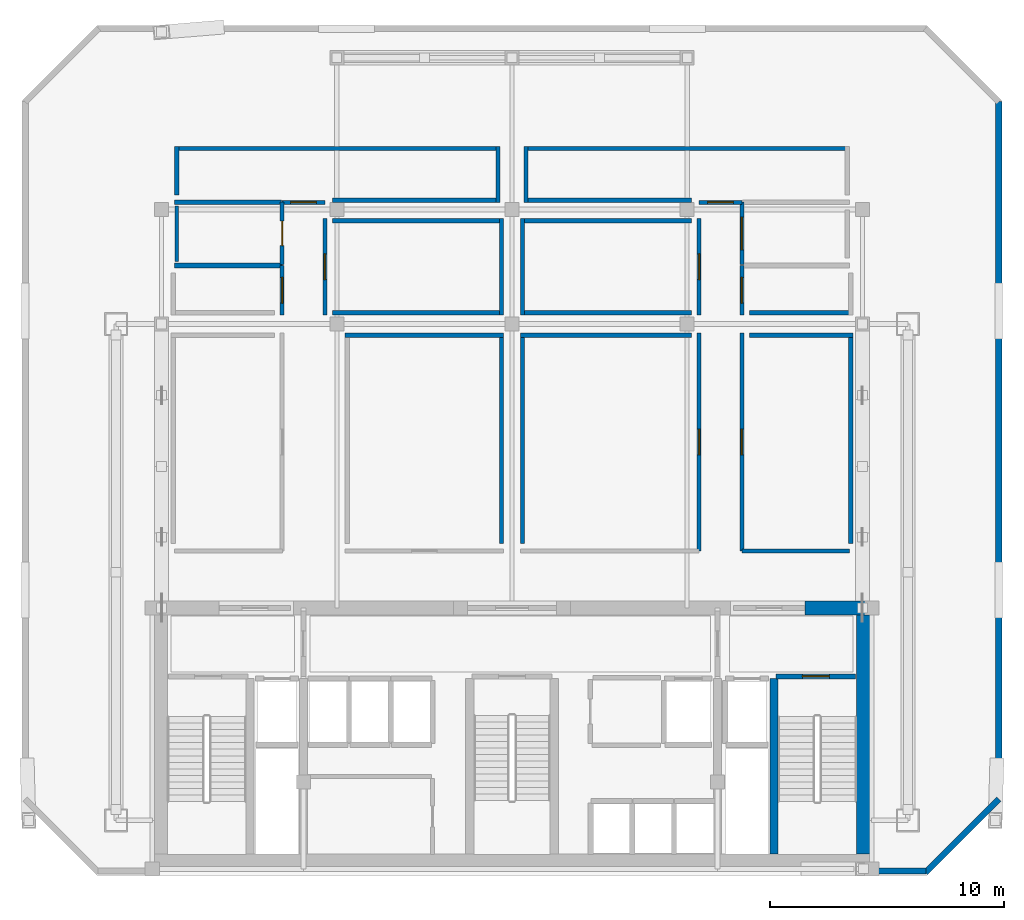
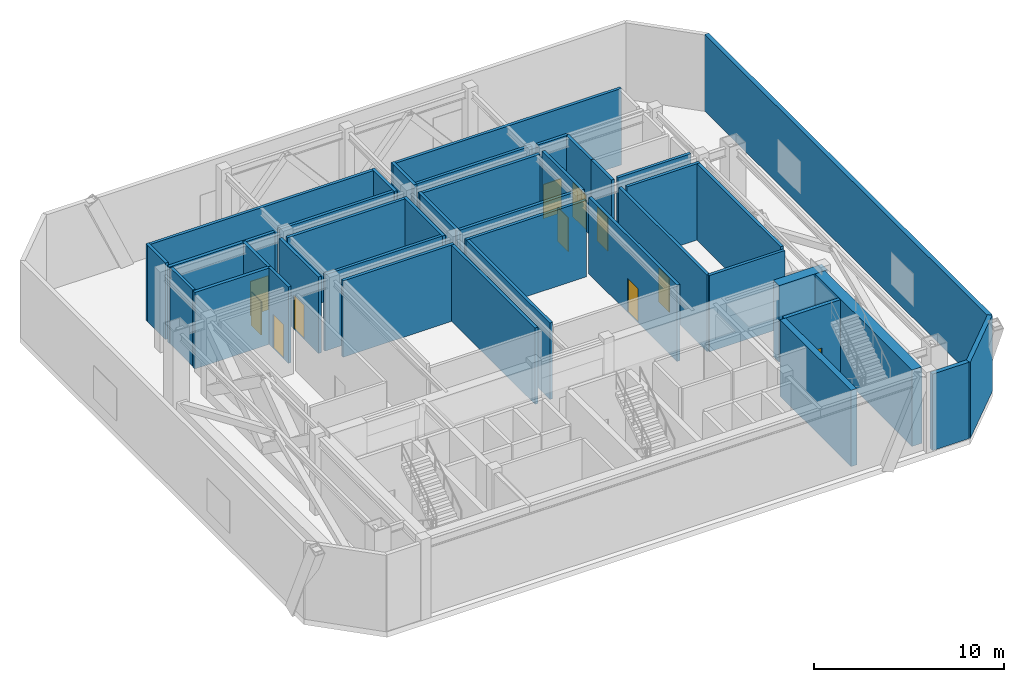
# One storey, part 4 of 7: 41 walls, 11 doors, 11 openings.
"""IFC4 building model written with IfcOpenShell, lengths in metres."""

import ifcopenshell
import ifcopenshell.guid

model = None  # the IFC model being written
_history = None  # IfcOwnerHistory: only IFC2X3 demands one
_inside = {}  # id of a spatial element -> (the spatial element, [elements in it])
_under = {}  # id of a project, library or spatial element -> (it, [spatial elements below it])
_declared = {}  # id of a project -> (the project, [libraries it declares])
_typed = {}  # id of a type object -> (the type object, [elements of that type])
_made_of = {}  # id of a material, layer set ... -> (it, [elements and type objects made of it])


def new_model(schema):
    """Start an empty IFC model of exactly this schema.

    Asked for "IFC4X3", IfcOpenShell would pick the latest addendum, in which some entities
    have other attributes; the version numbers below select the first issue.
    IFC2X3 requires an IfcOwnerHistory on every rooted entity: one is made here for all.
    """
    global model, _history
    if schema == "IFC4X3":
        model = ifcopenshell.file(schema_version=(4, 3, 0, 0))
    else:
        model = ifcopenshell.file(schema=schema)
    _inside.clear()
    _under.clear()
    _declared.clear()
    _typed.clear()
    _made_of.clear()
    _history = None
    if model.schema == "IFC2X3":
        org = make("IfcOrganization", Name="unknown")
        user = make(
            "IfcPersonAndOrganization",
            ThePerson=make("IfcPerson", FamilyName="unknown"),
            TheOrganization=org,
        )
        app = make(
            "IfcApplication",
            ApplicationDeveloper=org,
            Version="unknown",
            ApplicationFullName="unknown",
            ApplicationIdentifier="unknown",
        )
        _history = make(
            "IfcOwnerHistory",
            OwningUser=user,
            OwningApplication=app,
            ChangeAction="ADDED",
            CreationDate=0,
        )
    return model


def make(cls, **values):
    """One entity of the class cls with the attributes given. An attribute that is None is left unset."""
    return model.create_entity(
        cls, **{name: value for name, value in values.items() if value is not None}
    )


def rooted(cls, **values):
    """An entity with a GlobalId (a new one), such as an element, a storey or a relation."""
    return make(cls, GlobalId=ifcopenshell.guid.new(), OwnerHistory=_history, **values)


def si_unit(unit_type, name, prefix=None):
    """IfcSIUnit, for example si_unit("LENGTHUNIT", "METRE", prefix="MILLI")."""
    return make("IfcSIUnit", UnitType=unit_type, Prefix=prefix, Name=name)


def assignment(units):
    """IfcUnitAssignment: the units of a project."""
    return None if units is None else make("IfcUnitAssignment", Units=units)


def point(xyz):
    """IfcCartesianPoint."""
    return None if xyz is None else make("IfcCartesianPoint", Coordinates=xyz)


def direction(xyz):
    """IfcDirection."""
    return None if xyz is None else make("IfcDirection", DirectionRatios=xyz)


def frame(location, z_axis=None, x_axis=None):
    """IfcAxis2Placement3D, a coordinate frame: its origin and axes. An axis left out is left unset."""
    return make(
        "IfcAxis2Placement3D",
        Location=point(location),
        Axis=direction(z_axis),
        RefDirection=direction(x_axis),
    )


def frame_2d(location, x_axis=None):
    """IfcAxis2Placement2D, a coordinate frame in the plane: its origin and x axis."""
    return make(
        "IfcAxis2Placement2D", Location=point(location), RefDirection=direction(x_axis)
    )


def origin():
    """The frame at (0, 0, 0) with its axes left unset."""
    return frame((0.0, 0.0, 0.0))


def place(relative_to, where):
    """IfcLocalPlacement: puts the frame where relative to a parent placement (None: the world)."""
    return make(
        "IfcLocalPlacement", PlacementRelTo=relative_to, RelativePlacement=where
    )


def context(
    kind, dimensions, precision=None, world=None, true_north=None, identifier=None
):
    """IfcGeometricRepresentationContext, for example the 3D "Model" context."""
    return make(
        "IfcGeometricRepresentationContext",
        ContextIdentifier=identifier,
        ContextType=kind,
        CoordinateSpaceDimension=dimensions,
        Precision=precision,
        WorldCoordinateSystem=world,
        TrueNorth=true_north,
    )


def subcontext(parent, identifier, kind, view, scale=None):
    """IfcGeometricRepresentationSubContext, for example "Body" below "Model"."""
    return make(
        "IfcGeometricRepresentationSubContext",
        ContextIdentifier=identifier,
        ContextType=kind,
        ParentContext=parent,
        TargetScale=scale,
        TargetView=view,
    )


def project(units=None, contexts=None):
    """IfcProject with its units and contexts."""
    return rooted(
        "IfcProject",
        Name="project",
        RepresentationContexts=contexts,
        UnitsInContext=assignment(units),
    )


def spatial(cls, under=None, at=None, **own):
    """A site, building, storey or space (cls), placed at a placement, below another one or the project."""
    s = rooted(cls, ObjectPlacement=at, **own)
    if under is not None:
        _under.setdefault(under.id(), (under, []))[1].append(s)
    return s


def profile(cls, at=None, kind="AREA", **sizes):
    """A parametric profile (cls). Its sizes go by their IFC names, for example OverallWidth=200.0."""
    return make(cls, ProfileType=kind, Position=at, **sizes)


def rectangle(**sizes):
    """IfcRectangleProfileDef."""
    return profile("IfcRectangleProfileDef", **sizes)


def extrude(swept, where, along, depth):
    """IfcExtrudedAreaSolid: the profile swept, set in the frame where, extruded along a direction by depth."""
    return make(
        "IfcExtrudedAreaSolid",
        SweptArea=swept,
        Position=where,
        ExtrudedDirection=direction(along),
        Depth=depth,
    )


def shape(context_of_items, identifier, shape_type, items):
    """IfcShapeRepresentation: the items that make up one representation, for example the "Body"."""
    return make(
        "IfcShapeRepresentation",
        ContextOfItems=context_of_items,
        RepresentationIdentifier=identifier,
        RepresentationType=shape_type,
        Items=items,
    )


def material(Name=None, Category=None):
    """IfcMaterial."""
    return make("IfcMaterial", Name=Name, Category=Category)


def layer(
    of_material, thickness, ventilated=None, Name=None, Category=None, Priority=None
):
    """IfcMaterialLayer: one layer of a wall or slab, of a material (None: an air gap)."""
    return make(
        "IfcMaterialLayer",
        Material=of_material,
        LayerThickness=thickness,
        IsVentilated=ventilated,
        Name=Name,
        Category=Category,
        Priority=Priority,
    )


def layer_set(layers, Name=None):
    """IfcMaterialLayerSet."""
    return make("IfcMaterialLayerSet", MaterialLayers=layers, LayerSetName=Name)


def made_of(thing, what):
    """Note that an element or type object is made of a material, layer set ...; save() writes the relation."""
    if what is not None:
        _made_of.setdefault(what.id(), (what, []))[1].append(thing)
    return thing


def type_object(cls, material=None, **own):
    """A type object (cls), such as IfcWallType, which elements share."""
    return made_of(rooted(cls, **own), material)


def element(
    cls,
    number,
    at=None,
    inside=None,
    cuts=None,
    type_object=None,
    material=None,
    context=None,
    identifier="Body",
    shape_type=None,
    held_by="IfcProductDefinitionShape",
    body=None,
    shapes=None,
    **own,
):
    """One element of the class cls, such as IfcWall. Its Tag is "e" and its number.

    at: its placement. inside: the storey or other place that contains it. cuts: it is an
    opening in that element (IfcRelVoidsElement). A single representation is given by context,
    identifier, shape_type and body (its items); several are given by shapes. held_by: the class
    of the entity that holds the representations. save() writes the other relations.
    """
    e = rooted(cls, Tag="e%d" % number, ObjectPlacement=at, **own)
    if body is not None:
        shapes = [shape(context, identifier, shape_type, body)]
    if shapes is not None:
        e.Representation = make(held_by, Representations=shapes)
    if inside is not None:
        _inside.setdefault(inside.id(), (inside, []))[1].append(e)
    if cuts is not None:
        rooted(
            "IfcRelVoidsElement", RelatingBuildingElement=cuts, RelatedOpeningElement=e
        )
    if type_object is not None:
        _typed.setdefault(type_object.id(), (type_object, []))[1].append(e)
    return made_of(e, material)


def fill(opening, filler):
    """IfcRelFillsElement: the door or window that sits in an opening."""
    return rooted(
        "IfcRelFillsElement",
        RelatingOpeningElement=opening,
        RelatedBuildingElement=filler,
    )


def aggregate(whole, parts):
    """IfcRelAggregates: a whole, such as a stair, and the parts it consists of."""
    return rooted("IfcRelAggregates", RelatingObject=whole, RelatedObjects=parts)


def save(model, path):
    """Write the relations noted so far, then the file.

    IfcRelAggregates (storeys below a building ...), IfcRelContainedInSpatialStructure (elements
    in a storey), IfcRelDefinesByType, IfcRelAssociatesMaterial and IfcRelDeclares: one each for
    every whole, place, type object, material and project.
    """
    for whole, parts in _under.values():
        aggregate(whole, parts)
    for where, things in _inside.values():
        rooted(
            "IfcRelContainedInSpatialStructure",
            RelatedElements=things,
            RelatingStructure=where,
        )
    for kind, things in _typed.values():
        rooted("IfcRelDefinesByType", RelatedObjects=things, RelatingType=kind)
    for what, things in _made_of.values():
        rooted("IfcRelAssociatesMaterial", RelatedObjects=things, RelatingMaterial=what)
    for by, libraries in _declared.values():
        rooted("IfcRelDeclares", RelatingContext=by, RelatedDefinitions=libraries)
    model.write(path)


model = new_model("IFC4")

# Units and contexts
model_context = context("Model", 3, precision=1e-05, world=origin(), true_north=direction((0.0, 1.0)))
body_context = subcontext(model_context, "Body", "Model", "MODEL_VIEW")
ifc_project = project(units=[si_unit("LENGTHUNIT", "METRE"), si_unit("AREAUNIT", "SQUARE_METRE"), si_unit("VOLUMEUNIT", "CUBIC_METRE"), si_unit("PLANEANGLEUNIT", "RADIAN"), si_unit("MASSUNIT", "GRAM", prefix="KILO")], contexts=[model_context])

# Site, building, storey
site_placement = place(None, origin())
site = spatial("IfcSite", under=ifc_project, at=site_placement, CompositionType="ELEMENT")
building_placement = place(site_placement, origin())
building = spatial("IfcBuilding", under=site, at=building_placement, Name="Ventersveld Concourse Tower", CompositionType="ELEMENT")
storey_placement = place(building_placement, frame((0.0, 0.0, 246.5)))
storey = spatial("IfcBuildingStorey", under=building, at=storey_placement, Name="L61", CompositionType="ELEMENT", Elevation=246.5)

# Walls
ifc_material_1 = material(Name="Concrete C50/60", Category="concrete")
ifc_layer_1 = layer(ifc_material_1, 0.35009765625)
ifc_layer_set_1 = layer_set([ifc_layer_1], Name="Concrete C50/60")
wall_type_1 = type_object("IfcWallType", Name="WL-CORE-350U", PredefinedType="SHEAR", material=ifc_layer_set_1)
wall_1_placement = place(storey_placement, frame((39.9599609375, 0.919921875, 0.0), z_axis=(0.0, 0.0, 1.0), x_axis=(0.0, 1.0, 0.0)))
element("IfcWall", 1, at=wall_1_placement, inside=storey, type_object=wall_type_1, Name="L61 Core Internal Shear Web W-ST2-W", PredefinedType="SHEAR", context=body_context, shape_type="SweptSolid", body=[
    extrude(rectangle(XDim=7.5, YDim=0.35009765625, at=frame_2d((3.75, 0.0))), origin(), (0.0, 0.0, 1.0), 4.919921875),
])
ifc_layer_2 = layer(ifc_material_1, 0.60009765625)
ifc_layer_set_2 = layer_set([ifc_layer_2], Name="Concrete C50/60")
wall_type_2 = type_object("IfcWallType", Name="WL-CORE-600", PredefinedType="SHEAR", material=ifc_layer_set_2)
wall_2_placement = place(storey_placement, frame((43.800048828125, 0.919921875, 0.0), z_axis=(0.0, 0.0, 1.0), x_axis=(0.0, 1.0, 0.0)))
element("IfcWall", 2, at=wall_2_placement, inside=storey, type_object=wall_type_2, Name="L61 Rear Core East Shear Wall", PredefinedType="SHEAR", context=body_context, shape_type="SweptSolid", body=[
    extrude(rectangle(XDim=10.530029296875, YDim=0.60009765625, at=frame_2d((5.26513671875, 0.0))), origin(), (0.0, 0.0, 1.0), 4.919921875),
])
wall_3_placement = place(storey_placement, frame((41.300048828125, 11.449951171875, 0.0), z_axis=(0.0, 0.0, 1.0), x_axis=(1.0, 0.0, 0.0)))
element("IfcWall", 3, at=wall_3_placement, inside=storey, type_object=wall_type_2, Name="L61 Rear Core North Shear Wall NE", PredefinedType="SHEAR", context=body_context, shape_type="SweptSolid", body=[
    extrude(rectangle(XDim=2.949951171875, YDim=0.60009765625, at=frame_2d((1.47509765625, 0.0))), origin(), (0.0, 0.0, 1.0), 4.919921875),
])

# Wall, opening, door
ifc_material_2 = material(Name="Fire-rated autoclaved aerated masonry blockwork", Category="masonry")
ifc_layer_3 = layer(ifc_material_2, 0.179931640625)
ifc_layer_set_3 = layer_set([ifc_layer_3], Name="Fire-rated autoclaved aerated masonry blockwork")
wall_type_3 = type_object("IfcWallType", Name="WL-CORR-180", PredefinedType="PARTITIONING", material=ifc_layer_set_3)
wall_4_placement = place(storey_placement, frame((36.760009765625, 13.885009765625, 0.0), z_axis=(0.0, 0.0, 1.0), x_axis=(0.0, 1.0, 0.0)))
wall_4 = element("IfcWall", 4, at=wall_4_placement, inside=storey, type_object=wall_type_3, Name="L61 Interior Partition SP-L61-PCOR-SP-L61-REF-3", PredefinedType="PARTITIONING", context=body_context, shape_type="SweptSolid", body=[
    extrude(rectangle(XDim=9.330078125, YDim=0.179931640625, at=frame_2d((4.6650390625, 0.0))), origin(), (0.0, 0.0, 1.0), 4.919921875),
])
opening_1_placement = place(wall_4_placement, frame((4.114990234375, 0.0, 0.0)))
opening_1 = element("IfcOpeningElement", 5, at=opening_1_placement, cuts=wall_4, Name="Opening FD2", PredefinedType="OPENING", context=body_context, shape_type="SweptSolid", body=[
    extrude(rectangle(XDim=1.10009765625, YDim=2.199951171875, at=frame_2d((0.550048828125, 1.10009765625))), frame((0.0, 0.10009765625, 0.0), z_axis=(0.0, -1.0, 0.0), x_axis=(1.0, 0.0, 0.0)), (0.0, 0.0, 1.0), 0.199951171875),
])
ifc_material_3 = material(Name="Galvanised painted steel", Category="steel")
door_type_1 = type_object("IfcDoorType", Name="DR-FFL-110", OperationType="NOTDEFINED", PredefinedType="DOOR", material=ifc_material_3)
door_1_placement = place(opening_1_placement, origin())
door_1 = element("IfcDoor", 6, at=door_1_placement, inside=storey, type_object=door_type_1, Name="L61 Interior Door SP-L61-PCOR to SP-L61-REF-3 (FD-L61-2923)", OperationType="SINGLE_SWING_LEFT", OverallHeight=2.199951171875, OverallWidth=1.10009765625, PredefinedType="DOOR", context=body_context, shape_type="SweptSolid", body=[
    extrude(rectangle(XDim=1.10009765625, YDim=2.199951171875, at=frame_2d((0.550048828125, 1.10009765625))), frame((0.0, 0.02490234375, 0.0), z_axis=(0.0, -1.0, 0.0), x_axis=(1.0, 0.0, 0.0)), (0.0, 0.0, 1.0), 0.050048828125),
])
fill(opening_1, door_1)

wall_5_placement = place(storey_placement, frame((38.590087890625, 13.885009765625, 0.0), z_axis=(0.0, 0.0, 1.0), x_axis=(0.0, 1.0, 0.0)))
wall_5 = element("IfcWall", 7, at=wall_5_placement, inside=storey, type_object=wall_type_3, Name="L61 Interior Partition SP-L61-PCOR-SP-L61-REF-4", PredefinedType="PARTITIONING", context=body_context, shape_type="SweptSolid", body=[
    extrude(rectangle(XDim=9.330078125, YDim=0.179931640625, at=frame_2d((4.6650390625, 0.0))), origin(), (0.0, 0.0, 1.0), 4.919921875),
])
opening_2_placement = place(wall_5_placement, frame((4.114990234375, 0.0, 0.0)))
opening_2 = element("IfcOpeningElement", 8, at=opening_2_placement, cuts=wall_5, Name="Opening FD2", PredefinedType="OPENING", context=body_context, shape_type="SweptSolid", body=[
    extrude(rectangle(XDim=1.10009765625, YDim=2.199951171875, at=frame_2d((0.550048828125, 1.10009765625))), frame((0.0, 0.10009765625, 0.0), z_axis=(0.0, -1.0, 0.0), x_axis=(1.0, 0.0, 0.0)), (0.0, 0.0, 1.0), 0.199951171875),
])
door_2_placement = place(opening_2_placement, origin())
door_2 = element("IfcDoor", 9, at=door_2_placement, inside=storey, type_object=door_type_1, Name="L61 Interior Door SP-L61-PCOR to SP-L61-REF-4 (FD-L61-2924)", OperationType="SINGLE_SWING_RIGHT", OverallHeight=2.199951171875, OverallWidth=1.10009765625, PredefinedType="DOOR", context=body_context, shape_type="SweptSolid", body=[
    extrude(rectangle(XDim=1.10009765625, YDim=2.199951171875, at=frame_2d((0.550048828125, 1.10009765625))), frame((0.0, 0.02490234375, 0.0), z_axis=(0.0, -1.0, 0.0), x_axis=(1.0, 0.0, 0.0)), (0.0, 0.0, 1.0), 0.050048828125),
])
fill(opening_2, door_2)

# Wall
wall_6_placement = place(storey_placement, frame((38.5849609375, 13.889892578125, 0.0), z_axis=(0.0, 0.0, 1.0), x_axis=(1.0, 0.0, 0.0)))
element("IfcWall", 10, at=wall_6_placement, inside=storey, type_object=wall_type_3, Name="L61 Interior Partition SP-L61-PCOR-SP-L61-REF-4", PredefinedType="PARTITIONING", context=body_context, shape_type="SweptSolid", body=[
    extrude(rectangle(XDim=4.610107421875, YDim=0.179931640625, at=frame_2d((2.30517578125, 0.0))), origin(), (0.0, 0.0, 1.0), 4.919921875),
])

# Wall, opening, door
wall_7_placement = place(storey_placement, frame((20.739990234375, 23.985107421875, 0.0), z_axis=(0.0, 0.0, 1.0), x_axis=(0.0, 1.0, 0.0)))
wall_7 = element("IfcWall", 11, at=wall_7_placement, inside=storey, type_object=wall_type_3, Name="L61 Interior Partition SP-L61-PCOR-SP-L61-REF-5", PredefinedType="PARTITIONING", context=body_context, shape_type="SweptSolid", body=[
    extrude(rectangle(XDim=4.1298828125, YDim=0.179931640625, at=frame_2d((2.06494140625, 0.0))), origin(), (0.0, 0.0, 1.0), 4.919921875),
])
opening_3_placement = place(wall_7_placement, frame((1.514892578125, 0.0, 0.0)))
opening_3 = element("IfcOpeningElement", 12, at=opening_3_placement, cuts=wall_7, Name="Opening FD2", PredefinedType="OPENING", context=body_context, shape_type="SweptSolid", body=[
    extrude(rectangle(XDim=1.10009765625, YDim=2.199951171875, at=frame_2d((0.550048828125, 1.10009765625))), frame((0.0, 0.10009765625, 0.0), z_axis=(0.0, -1.0, 0.0), x_axis=(1.0, 0.0, 0.0)), (0.0, 0.0, 1.0), 0.199951171875),
])
door_3_placement = place(opening_3_placement, origin())
door_3 = element("IfcDoor", 13, at=door_3_placement, inside=storey, type_object=door_type_1, Name="L61 Interior Door SP-L61-PCOR to SP-L61-REF-5 (FD-L61-2925)", OperationType="SINGLE_SWING_LEFT", OverallHeight=2.199951171875, OverallWidth=1.10009765625, PredefinedType="DOOR", context=body_context, shape_type="SweptSolid", body=[
    extrude(rectangle(XDim=1.10009765625, YDim=2.199951171875, at=frame_2d((0.550048828125, 1.10009765625))), frame((0.0, 0.02490234375, 0.0), z_axis=(0.0, -1.0, 0.0), x_axis=(1.0, 0.0, 0.0)), (0.0, 0.0, 1.0), 0.050048828125),
])
fill(opening_3, door_3)

wall_8_placement = place(storey_placement, frame((36.760009765625, 23.985107421875, 0.0), z_axis=(0.0, 0.0, 1.0), x_axis=(0.0, 1.0, 0.0)))
wall_8 = element("IfcWall", 14, at=wall_8_placement, inside=storey, type_object=wall_type_3, Name="L61 Interior Partition SP-L61-PCOR-SP-L61-REF-6", PredefinedType="PARTITIONING", context=body_context, shape_type="SweptSolid", body=[
    extrude(rectangle(XDim=4.1298828125, YDim=0.179931640625, at=frame_2d((2.06494140625, 0.0))), origin(), (0.0, 0.0, 1.0), 4.919921875),
])
opening_4_placement = place(wall_8_placement, frame((1.514892578125, 0.0, 0.0)))
opening_4 = element("IfcOpeningElement", 15, at=opening_4_placement, cuts=wall_8, Name="Opening FD2", PredefinedType="OPENING", context=body_context, shape_type="SweptSolid", body=[
    extrude(rectangle(XDim=1.10009765625, YDim=2.199951171875, at=frame_2d((0.550048828125, 1.10009765625))), frame((0.0, 0.10009765625, 0.0), z_axis=(0.0, -1.0, 0.0), x_axis=(1.0, 0.0, 0.0)), (0.0, 0.0, 1.0), 0.199951171875),
])
door_4_placement = place(opening_4_placement, origin())
door_4 = element("IfcDoor", 16, at=door_4_placement, inside=storey, type_object=door_type_1, Name="L61 Interior Door SP-L61-PCOR to SP-L61-REF-6 (FD-L61-2926)", OperationType="SINGLE_SWING_RIGHT", OverallHeight=2.199951171875, OverallWidth=1.10009765625, PredefinedType="DOOR", context=body_context, shape_type="SweptSolid", body=[
    extrude(rectangle(XDim=1.10009765625, YDim=2.199951171875, at=frame_2d((0.550048828125, 1.10009765625))), frame((0.0, 0.02490234375, 0.0), z_axis=(0.0, -1.0, 0.0), x_axis=(1.0, 0.0, 0.0)), (0.0, 0.0, 1.0), 0.050048828125),
])
fill(opening_4, door_4)

wall_9_placement = place(storey_placement, frame((18.905029296875, 28.81005859375, 0.0), z_axis=(0.0, 0.0, 1.0), x_axis=(1.0, 0.0, 0.0)))
wall_9 = element("IfcWall", 17, at=wall_9_placement, inside=storey, type_object=wall_type_3, Name="L61 Interior Partition SP-L61-PCOR-SP-L61-REF-7", PredefinedType="PARTITIONING", context=body_context, shape_type="SweptSolid", body=[
    extrude(rectangle(XDim=1.840087890625, YDim=0.179931640625, at=frame_2d((0.919921875, 0.0))), origin(), (0.0, 0.0, 1.0), 4.919921875),
])
opening_5_placement = place(wall_9_placement, frame((0.3701171875, 0.0, 0.0)))
opening_5 = element("IfcOpeningElement", 18, at=opening_5_placement, cuts=wall_9, Name="Opening FD2", PredefinedType="OPENING", context=body_context, shape_type="SweptSolid", body=[
    extrude(rectangle(XDim=1.10009765625, YDim=2.199951171875, at=frame_2d((0.550048828125, 1.10009765625))), frame((0.0, 0.10009765625, 0.0), z_axis=(0.0, -1.0, 0.0), x_axis=(1.0, 0.0, 0.0)), (0.0, 0.0, 1.0), 0.199951171875),
])
door_5_placement = place(opening_5_placement, origin())
door_5 = element("IfcDoor", 19, at=door_5_placement, inside=storey, type_object=door_type_1, Name="L61 Interior Door SP-L61-PCOR to SP-L61-REF-7 (FD-L61-2927)", OperationType="SINGLE_SWING_LEFT", OverallHeight=2.199951171875, OverallWidth=1.10009765625, PredefinedType="DOOR", context=body_context, shape_type="SweptSolid", body=[
    extrude(rectangle(XDim=1.10009765625, YDim=2.199951171875, at=frame_2d((0.550048828125, 1.10009765625))), frame((0.0, 0.02490234375, 0.0), z_axis=(0.0, -1.0, 0.0), x_axis=(1.0, 0.0, 0.0)), (0.0, 0.0, 1.0), 0.050048828125),
])
fill(opening_5, door_5)

wall_10_placement = place(storey_placement, frame((36.7548828125, 28.81005859375, 0.0), z_axis=(0.0, 0.0, 1.0), x_axis=(1.0, 0.0, 0.0)))
wall_10 = element("IfcWall", 20, at=wall_10_placement, inside=storey, type_object=wall_type_3, Name="L61 Interior Partition SP-L61-PCOR-SP-L61-REF-8", PredefinedType="PARTITIONING", context=body_context, shape_type="SweptSolid", body=[
    extrude(rectangle(XDim=1.840087890625, YDim=0.179931640625, at=frame_2d((0.919921875, 0.0))), origin(), (0.0, 0.0, 1.0), 4.919921875),
])
opening_6_placement = place(wall_10_placement, frame((0.3701171875, 0.0, 0.0)))
opening_6 = element("IfcOpeningElement", 21, at=opening_6_placement, cuts=wall_10, Name="Opening FD2", PredefinedType="OPENING", context=body_context, shape_type="SweptSolid", body=[
    extrude(rectangle(XDim=1.10009765625, YDim=2.199951171875, at=frame_2d((0.550048828125, 1.10009765625))), frame((0.0, 0.10009765625, 0.0), z_axis=(0.0, -1.0, 0.0), x_axis=(1.0, 0.0, 0.0)), (0.0, 0.0, 1.0), 0.199951171875),
])
door_6_placement = place(opening_6_placement, origin())
door_6 = element("IfcDoor", 22, at=door_6_placement, inside=storey, type_object=door_type_1, Name="L61 Interior Door SP-L61-PCOR to SP-L61-REF-8 (FD-L61-2928)", OperationType="SINGLE_SWING_RIGHT", OverallHeight=2.199951171875, OverallWidth=1.10009765625, PredefinedType="DOOR", context=body_context, shape_type="SweptSolid", body=[
    extrude(rectangle(XDim=1.10009765625, YDim=2.199951171875, at=frame_2d((0.550048828125, 1.10009765625))), frame((0.0, 0.02490234375, 0.0), z_axis=(0.0, -1.0, 0.0), x_axis=(1.0, 0.0, 0.0)), (0.0, 0.0, 1.0), 0.050048828125),
])
fill(opening_6, door_6)

wall_11_placement = place(storey_placement, frame((18.909912109375, 23.985107421875, 0.0), z_axis=(0.0, 0.0, 1.0), x_axis=(0.0, 1.0, 0.0)))
wall_11 = element("IfcWall", 23, at=wall_11_placement, inside=storey, type_object=wall_type_3, Name="L61 Interior Partition SP-L61-PCOR-SP-L61-REF-9", PredefinedType="PARTITIONING", context=body_context, shape_type="SweptSolid", body=[
    extrude(rectangle(XDim=2.1298828125, YDim=0.179931640625, at=frame_2d((1.06494140625, 0.0))), origin(), (0.0, 0.0, 1.0), 4.919921875),
])
opening_7_placement = place(wall_11_placement, frame((0.514892578125, 0.0, 0.0)))
opening_7 = element("IfcOpeningElement", 24, at=opening_7_placement, cuts=wall_11, Name="Opening FD2", PredefinedType="OPENING", context=body_context, shape_type="SweptSolid", body=[
    extrude(rectangle(XDim=1.10009765625, YDim=2.199951171875, at=frame_2d((0.550048828125, 1.10009765625))), frame((0.0, 0.10009765625, 0.0), z_axis=(0.0, -1.0, 0.0), x_axis=(1.0, 0.0, 0.0)), (0.0, 0.0, 1.0), 0.199951171875),
])
door_7_placement = place(opening_7_placement, origin())
door_7 = element("IfcDoor", 25, at=door_7_placement, inside=storey, type_object=door_type_1, Name="L61 Interior Door SP-L61-PCOR to SP-L61-REF-9 (FD-L61-2929)", OperationType="SINGLE_SWING_LEFT", OverallHeight=2.199951171875, OverallWidth=1.10009765625, PredefinedType="DOOR", context=body_context, shape_type="SweptSolid", body=[
    extrude(rectangle(XDim=1.10009765625, YDim=2.199951171875, at=frame_2d((0.550048828125, 1.10009765625))), frame((0.0, 0.02490234375, 0.0), z_axis=(0.0, -1.0, 0.0), x_axis=(1.0, 0.0, 0.0)), (0.0, 0.0, 1.0), 0.050048828125),
])
fill(opening_7, door_7)

wall_12_placement = place(storey_placement, frame((38.590087890625, 23.985107421875, 0.0), z_axis=(0.0, 0.0, 1.0), x_axis=(0.0, 1.0, 0.0)))
wall_12 = element("IfcWall", 26, at=wall_12_placement, inside=storey, type_object=wall_type_3, Name="L61 Interior Partition SP-L61-PCOR-SP-L61-REF-10", PredefinedType="PARTITIONING", context=body_context, shape_type="SweptSolid", body=[
    extrude(rectangle(XDim=2.1298828125, YDim=0.179931640625, at=frame_2d((1.06494140625, 0.0))), origin(), (0.0, 0.0, 1.0), 4.919921875),
])
opening_8_placement = place(wall_12_placement, frame((0.514892578125, 0.0, 0.0)))
opening_8 = element("IfcOpeningElement", 27, at=opening_8_placement, cuts=wall_12, Name="Opening FD2", PredefinedType="OPENING", context=body_context, shape_type="SweptSolid", body=[
    extrude(rectangle(XDim=1.10009765625, YDim=2.199951171875, at=frame_2d((0.550048828125, 1.10009765625))), frame((0.0, 0.10009765625, 0.0), z_axis=(0.0, -1.0, 0.0), x_axis=(1.0, 0.0, 0.0)), (0.0, 0.0, 1.0), 0.199951171875),
])
door_8_placement = place(opening_8_placement, origin())
door_8 = element("IfcDoor", 28, at=door_8_placement, inside=storey, type_object=door_type_1, Name="L61 Interior Door SP-L61-PCOR to SP-L61-REF-10 (FD-L61-2930)", OperationType="SINGLE_SWING_RIGHT", OverallHeight=2.199951171875, OverallWidth=1.10009765625, PredefinedType="DOOR", context=body_context, shape_type="SweptSolid", body=[
    extrude(rectangle(XDim=1.10009765625, YDim=2.199951171875, at=frame_2d((0.550048828125, 1.10009765625))), frame((0.0, 0.02490234375, 0.0), z_axis=(0.0, -1.0, 0.0), x_axis=(1.0, 0.0, 0.0)), (0.0, 0.0, 1.0), 0.050048828125),
])
fill(opening_8, door_8)

wall_13_placement = place(storey_placement, frame((18.909912109375, 26.14501953125, 0.0), z_axis=(0.0, 0.0, 1.0), x_axis=(0.0, 1.0, 0.0)))
wall_13 = element("IfcWall", 29, at=wall_13_placement, inside=storey, type_object=wall_type_3, Name="L61 Interior Partition SP-L61-PCOR-SP-L61-AWC", PredefinedType="PARTITIONING", context=body_context, shape_type="SweptSolid", body=[
    extrude(rectangle(XDim=2.669921875, YDim=0.179931640625, at=frame_2d((1.3349609375, 0.0))), origin(), (0.0, 0.0, 1.0), 4.919921875),
])
opening_9_placement = place(wall_13_placement, frame((0.81005859375, 0.0, 0.0)))
opening_9 = element("IfcOpeningElement", 30, at=opening_9_placement, cuts=wall_13, Name="Opening ID3", PredefinedType="OPENING", context=body_context, shape_type="SweptSolid", body=[
    extrude(rectangle(XDim=1.050048828125, YDim=2.14990234375, at=frame_2d((0.52490234375, 1.074951171875))), frame((0.0, 0.10009765625, 0.0), z_axis=(0.0, -1.0, 0.0), x_axis=(1.0, 0.0, 0.0)), (0.0, 0.0, 1.0), 0.199951171875),
])
ifc_material_4 = material(Name="Solid-core hardwood veneer timber", Category="wood")
door_type_2 = type_object("IfcDoorType", Name="DR-AWC-105", OperationType="NOTDEFINED", PredefinedType="DOOR", material=ifc_material_4)
door_9_placement = place(opening_9_placement, origin())
door_9 = element("IfcDoor", 31, at=door_9_placement, inside=storey, type_object=door_type_2, Name="L61 Interior Door SP-L61-PCOR to SP-L61-AWC (WD-L61-2931)", OperationType="SINGLE_SWING_LEFT", OverallHeight=2.14990234375, OverallWidth=1.050048828125, PredefinedType="DOOR", context=body_context, shape_type="SweptSolid", body=[
    extrude(rectangle(XDim=1.050048828125, YDim=2.14990234375, at=frame_2d((0.52490234375, 1.074951171875))), frame((0.0, 0.02490234375, 0.0), z_axis=(0.0, -1.0, 0.0), x_axis=(1.0, 0.0, 0.0)), (0.0, 0.0, 1.0), 0.050048828125),
])
fill(opening_9, door_9)

wall_14_placement = place(storey_placement, frame((38.590087890625, 26.14501953125, 0.0), z_axis=(0.0, 0.0, 1.0), x_axis=(0.0, 1.0, 0.0)))
wall_14 = element("IfcWall", 32, at=wall_14_placement, inside=storey, type_object=wall_type_3, Name="L61 Interior Partition SP-L61-PCOR-SP-L61-PLT-CHL", PredefinedType="PARTITIONING", context=body_context, shape_type="SweptSolid", body=[
    extrude(rectangle(XDim=2.669921875, YDim=0.179931640625, at=frame_2d((1.3349609375, 0.0))), origin(), (0.0, 0.0, 1.0), 4.919921875),
])
opening_10_placement = place(wall_14_placement, frame((0.635009765625, 0.0, 0.0)))
opening_10 = element("IfcOpeningElement", 33, at=opening_10_placement, cuts=wall_14, Name="Opening FD4", PredefinedType="OPENING", context=body_context, shape_type="SweptSolid", body=[
    extrude(rectangle(XDim=1.39990234375, YDim=2.199951171875, at=frame_2d((0.699951171875, 1.10009765625))), frame((0.0, 0.10009765625, 0.0), z_axis=(0.0, -1.0, 0.0), x_axis=(1.0, 0.0, 0.0)), (0.0, 0.0, 1.0), 0.199951171875),
])
door_type_3 = type_object("IfcDoorType", Name="DR-PLANT-140", OperationType="DOUBLE_DOOR_SINGLE_SWING", PredefinedType="DOOR", material=ifc_material_3)
door_10_placement = place(opening_10_placement, origin())
door_10 = element("IfcDoor", 34, at=door_10_placement, inside=storey, type_object=door_type_3, Name="L61 Interior Door SP-L61-PCOR to SP-L61-PLT-CHL (FD-L61-2932)", OperationType="DOUBLE_DOOR_SINGLE_SWING", OverallHeight=2.199951171875, OverallWidth=1.39990234375, PredefinedType="DOOR", context=body_context, shape_type="SweptSolid", body=[
    extrude(rectangle(XDim=1.39990234375, YDim=2.199951171875, at=frame_2d((0.699951171875, 1.10009765625))), frame((0.0, 0.02490234375, 0.0), z_axis=(0.0, -1.0, 0.0), x_axis=(1.0, 0.0, 0.0)), (0.0, 0.0, 1.0), 0.050048828125),
])
fill(opening_10, door_10)

# Walls
wall_15_placement = place(storey_placement, frame((28.300048828125, 14.215087890625, 0.0), z_axis=(0.0, 0.0, 1.0), x_axis=(0.0, 1.0, 0.0)))
element("IfcWall", 35, at=wall_15_placement, inside=storey, type_object=wall_type_3, Name="L61 Room Enclosure Wall SP-L61-REF-2", PredefinedType="PARTITIONING", context=body_context, shape_type="SweptSolid", body=[
    extrude(rectangle(XDim=9.0, YDim=0.179931640625, at=frame_2d((4.5, 0.0))), origin(), (0.0, 0.0, 1.0), 4.919921875),
])
wall_16_placement = place(storey_placement, frame((28.39501953125, 23.1201171875, 0.0), z_axis=(0.0, 0.0, 1.0), x_axis=(-1.0, 0.0, 0.0)))
element("IfcWall", 36, at=wall_16_placement, inside=storey, type_object=wall_type_3, Name="L61 Room Enclosure Wall SP-L61-REF-2", PredefinedType="PARTITIONING", context=body_context, shape_type="SweptSolid", body=[
    extrude(rectangle(XDim=6.7900390625, YDim=0.179931640625, at=frame_2d((3.39501953125, 0.0))), origin(), (0.0, 0.0, 1.0), 4.919921875),
])
wall_17_placement = place(storey_placement, frame((36.43505859375, 23.1201171875, 0.0), z_axis=(0.0, 0.0, 1.0), x_axis=(-1.0, 0.0, 0.0)))
element("IfcWall", 37, at=wall_17_placement, inside=storey, type_object=wall_type_3, Name="L61 Room Enclosure Wall SP-L61-REF-3", PredefinedType="PARTITIONING", context=body_context, shape_type="SweptSolid", body=[
    extrude(rectangle(XDim=7.330078125, YDim=0.179931640625, at=frame_2d((3.6650390625, 0.0))), origin(), (0.0, 0.0, 1.0), 4.919921875),
])
wall_18_placement = place(storey_placement, frame((29.199951171875, 23.215087890625, 0.0), z_axis=(0.0, 0.0, 1.0), x_axis=(0.0, -1.0, 0.0)))
element("IfcWall", 38, at=wall_18_placement, inside=storey, type_object=wall_type_3, Name="L61 Room Enclosure Wall SP-L61-REF-3", PredefinedType="PARTITIONING", context=body_context, shape_type="SweptSolid", body=[
    extrude(rectangle(XDim=9.0, YDim=0.179931640625, at=frame_2d((4.5, 0.0))), origin(), (0.0, 0.0, 1.0), 4.919921875),
])
wall_19_placement = place(storey_placement, frame((43.25, 14.2109375, 0.0), z_axis=(0.0, 0.0, 1.0), x_axis=(0.0, 1.0, 0.0)))
element("IfcWall", 39, at=wall_19_placement, inside=storey, type_object=wall_type_3, Name="L61 Room Enclosure Wall SP-L61-REF-4", PredefinedType="PARTITIONING", context=body_context, shape_type="SweptSolid", body=[
    extrude(rectangle(XDim=9.004150390625, YDim=0.179931640625, at=frame_2d((4.501953125, 0.0))), origin(), (0.0, 0.0, 1.0), 4.919921875),
])
wall_20_placement = place(storey_placement, frame((43.344970703125, 23.1201171875, 0.0), z_axis=(0.0, 0.0, 1.0), x_axis=(-1.0, 0.0, 0.0)))
element("IfcWall", 40, at=wall_20_placement, inside=storey, type_object=wall_type_3, Name="L61 Room Enclosure Wall SP-L61-REF-4", PredefinedType="PARTITIONING", context=body_context, shape_type="SweptSolid", body=[
    extrude(rectangle(XDim=4.429931640625, YDim=0.179931640625, at=frame_2d((2.21484375, 0.0))), origin(), (0.0, 0.0, 1.0), 4.919921875),
])
wall_21_placement = place(storey_placement, frame((21.06494140625, 24.080078125, 0.0), z_axis=(0.0, 0.0, 1.0), x_axis=(1.0, 0.0, 0.0)))
element("IfcWall", 41, at=wall_21_placement, inside=storey, type_object=wall_type_3, Name="L61 Room Enclosure Wall SP-L61-REF-5", PredefinedType="PARTITIONING", context=body_context, shape_type="SweptSolid", body=[
    extrude(rectangle(XDim=7.330078125, YDim=0.179931640625, at=frame_2d((3.6650390625, 0.0))), origin(), (0.0, 0.0, 1.0), 4.919921875),
])
wall_22_placement = place(storey_placement, frame((28.300048828125, 23.985107421875, 0.0), z_axis=(0.0, 0.0, 1.0), x_axis=(0.0, 1.0, 0.0)))
element("IfcWall", 42, at=wall_22_placement, inside=storey, type_object=wall_type_3, Name="L61 Room Enclosure Wall SP-L61-REF-5", PredefinedType="PARTITIONING", context=body_context, shape_type="SweptSolid", body=[
    extrude(rectangle(XDim=4.1298828125, YDim=0.179931640625, at=frame_2d((2.06494140625, 0.0))), origin(), (0.0, 0.0, 1.0), 4.919921875),
])
for number, where, z_axis, x_axis, name in (
    (43, (28.39501953125, 28.02001953125, 0.0), (0.0, 0.0, 1.0), (-1.0, 0.0, 0.0), "L61 Room Enclosure Wall SP-L61-REF-5"),
    (44, (29.10498046875, 24.080078125, 0.0), (0.0, 0.0, 1.0), (1.0, 0.0, 0.0), "L61 Room Enclosure Wall SP-L61-REF-6"),
    (45, (36.43505859375, 28.02001953125, 0.0), (0.0, 0.0, 1.0), (-1.0, 0.0, 0.0), "L61 Room Enclosure Wall SP-L61-REF-6"),
):
    element("IfcWall", number, at=place(storey_placement, frame(where, z_axis=z_axis, x_axis=x_axis)), inside=storey, type_object=wall_type_3, Name=name, PredefinedType="PARTITIONING", context=body_context, shape_type="SweptSolid", body=[
        extrude(rectangle(XDim=7.330078125, YDim=0.179931640625, at=frame_2d((3.6650390625, 0.0))), origin(), (0.0, 0.0, 1.0), 4.919921875),
    ])
wall_23_placement = place(storey_placement, frame((29.199951171875, 28.114990234375, 0.0), z_axis=(0.0, 0.0, 1.0), x_axis=(0.0, -1.0, 0.0)))
element("IfcWall", 46, at=wall_23_placement, inside=storey, type_object=wall_type_3, Name="L61 Room Enclosure Wall SP-L61-REF-6", PredefinedType="PARTITIONING", context=body_context, shape_type="SweptSolid", body=[
    extrude(rectangle(XDim=4.1298828125, YDim=0.179931640625, at=frame_2d((2.06494140625, 0.0))), origin(), (0.0, 0.0, 1.0), 4.919921875),
])
wall_24_placement = place(storey_placement, frame((21.059814453125, 28.89990234375, 0.0), z_axis=(0.0, 0.0, 1.0), x_axis=(1.0, 0.0, 0.0)))
element("IfcWall", 47, at=wall_24_placement, inside=storey, type_object=wall_type_3, Name="L61 Room Enclosure Wall SP-L61-REF-7", PredefinedType="PARTITIONING", context=body_context, shape_type="SweptSolid", body=[
    extrude(rectangle(XDim=7.185302734375, YDim=0.179931640625, at=frame_2d((3.5927734375, 0.0))), origin(), (0.0, 0.0, 1.0), 4.919921875),
])
wall_25_placement = place(storey_placement, frame((28.14990234375, 28.804931640625, 0.0), z_axis=(0.0, 0.0, 1.0), x_axis=(0.0, 1.0, 0.0)))
element("IfcWall", 48, at=wall_25_placement, inside=storey, type_object=wall_type_3, Name="L61 Room Enclosure Wall SP-L61-REF-7", PredefinedType="PARTITIONING", context=body_context, shape_type="SweptSolid", body=[
    extrude(rectangle(XDim=2.400146484375, YDim=0.179931640625, at=frame_2d((1.2001953125, 0.0))), origin(), (0.0, 0.0, 1.0), 4.919921875),
])
wall_26_placement = place(storey_placement, frame((28.2451171875, 31.110107421875, 0.0), z_axis=(0.0, 0.0, 1.0), x_axis=(-1.0, 0.0, 0.0)))
element("IfcWall", 49, at=wall_26_placement, inside=storey, type_object=wall_type_3, Name="L61 Room Enclosure Wall SP-L61-REF-7", PredefinedType="PARTITIONING", context=body_context, shape_type="SweptSolid", body=[
    extrude(rectangle(XDim=13.940185546875, YDim=0.179931640625, at=frame_2d((6.97021484375, 0.0))), origin(), (0.0, 0.0, 1.0), 4.919921875),
])
wall_27_placement = place(storey_placement, frame((14.39990234375, 31.205078125, 0.0), z_axis=(0.0, 0.0, 1.0), x_axis=(0.0, -1.0, 0.0)))
element("IfcWall", 50, at=wall_27_placement, inside=storey, type_object=wall_type_3, Name="L61 Room Enclosure Wall SP-L61-REF-7", PredefinedType="PARTITIONING", context=body_context, shape_type="SweptSolid", body=[
    extrude(rectangle(XDim=2.070068359375, YDim=0.179931640625, at=frame_2d((1.03515625, 0.0))), origin(), (0.0, 0.0, 1.0), 4.919921875),
])
wall_28_placement = place(storey_placement, frame((29.2548828125, 28.89990234375, 0.0), z_axis=(0.0, 0.0, 1.0), x_axis=(1.0, 0.0, 0.0)))
element("IfcWall", 51, at=wall_28_placement, inside=storey, type_object=wall_type_3, Name="L61 Room Enclosure Wall SP-L61-REF-8", PredefinedType="PARTITIONING", context=body_context, shape_type="SweptSolid", body=[
    extrude(rectangle(XDim=7.185302734375, YDim=0.179931640625, at=frame_2d((3.5927734375, 0.0))), origin(), (0.0, 0.0, 1.0), 4.919921875),
])
wall_29_placement = place(storey_placement, frame((43.195068359375, 31.110107421875, 0.0), z_axis=(0.0, 0.0, 1.0), x_axis=(-1.0, 0.0, 0.0)))
element("IfcWall", 52, at=wall_29_placement, inside=storey, type_object=wall_type_3, Name="L61 Room Enclosure Wall SP-L61-REF-8", PredefinedType="PARTITIONING", context=body_context, shape_type="SweptSolid", body=[
    extrude(rectangle(XDim=13.940185546875, YDim=0.179931640625, at=frame_2d((6.97021484375, 0.0))), origin(), (0.0, 0.0, 1.0), 4.919921875),
])
wall_30_placement = place(storey_placement, frame((29.35009765625, 31.205078125, 0.0), z_axis=(0.0, 0.0, 1.0), x_axis=(0.0, -1.0, 0.0)))
element("IfcWall", 53, at=wall_30_placement, inside=storey, type_object=wall_type_3, Name="L61 Room Enclosure Wall SP-L61-REF-8", PredefinedType="PARTITIONING", context=body_context, shape_type="SweptSolid", body=[
    extrude(rectangle(XDim=2.400146484375, YDim=0.179931640625, at=frame_2d((1.2001953125, 0.0))), origin(), (0.0, 0.0, 1.0), 4.919921875),
])
wall_31_placement = place(storey_placement, frame((38.9150390625, 24.080078125, 0.0), z_axis=(0.0, 0.0, 1.0), x_axis=(1.0, 0.0, 0.0)))
element("IfcWall", 54, at=wall_31_placement, inside=storey, type_object=wall_type_3, Name="L61 Room Enclosure Wall SP-L61-REF-10", PredefinedType="PARTITIONING", context=body_context, shape_type="SweptSolid", body=[
    extrude(rectangle(XDim=4.429931640625, YDim=0.179931640625, at=frame_2d((2.21484375, 0.0))), origin(), (0.0, 0.0, 1.0), 4.919921875),
])
ifc_layer_4 = layer(ifc_material_2, 0.199951171875)
ifc_layer_set_4 = layer_set([ifc_layer_4], Name="Fire-rated autoclaved aerated masonry blockwork")
wall_type_4 = type_object("IfcWallType", Name="WL-DEMISE-200", PredefinedType="PARTITIONING", material=ifc_layer_set_4)
wall_32_placement = place(storey_placement, frame((14.304931640625, 28.81005859375, 0.0), z_axis=(0.0, 0.0, 1.0), x_axis=(1.0, 0.0, 0.0)))
element("IfcWall", 55, at=wall_32_placement, inside=storey, type_object=wall_type_4, Name="L61 Interior Partition SP-L61-REF-7-SP-L61-AWC", PredefinedType="PARTITIONING", context=body_context, shape_type="SweptSolid", body=[
    extrude(rectangle(XDim=4.570068359375, YDim=0.199951171875, at=frame_2d((2.28515625, 0.0))), origin(), (0.0, 0.0, 1.0), 4.919921875),
])
wall_33_placement = place(storey_placement, frame((14.304931640625, 26.110107421875, 0.0), z_axis=(0.0, 0.0, 1.0), x_axis=(1.0, 0.0, 0.0)))
element("IfcWall", 56, at=wall_33_placement, inside=storey, type_object=wall_type_4, Name="L61 Interior Partition SP-L61-REF-9-SP-L61-AWC", PredefinedType="PARTITIONING", context=body_context, shape_type="SweptSolid", body=[
    extrude(rectangle(XDim=4.610107421875, YDim=0.199951171875, at=frame_2d((2.30517578125, 0.0))), origin(), (0.0, 0.0, 1.0), 4.919921875),
])

# Wall, opening, door
ifc_layer_5 = layer(ifc_material_2, 0.219970703125)
ifc_layer_set_5 = layer_set([ifc_layer_5], Name="Fire-rated autoclaved aerated masonry blockwork")
wall_type_5 = type_object("IfcWallType", Name="WL-HOIST-220", PredefinedType="SOLIDWALL", material=ifc_layer_set_5)
wall_34_placement = place(storey_placement, frame((40.06005859375, 8.52001953125, 0.0), z_axis=(0.0, 0.0, 1.0), x_axis=(1.0, 0.0, 0.0)))
wall_34 = element("IfcWall", 57, at=wall_34_placement, inside=storey, type_object=wall_type_5, Name="L61 Escape Stair ST02 Fire Wall", PredefinedType="SOLIDWALL", context=body_context, shape_type="SweptSolid", body=[
    extrude(rectangle(XDim=3.39990234375, YDim=0.219970703125, at=frame_2d((1.699951171875, 0.0))), origin(), (0.0, 0.0, 1.0), 4.919921875),
])
opening_11_placement = place(wall_34_placement, frame((1.125, 0.0, 0.0)))
opening_11 = element("IfcOpeningElement", 58, at=opening_11_placement, cuts=wall_34, Name="Opening FD1", PredefinedType="OPENING", context=body_context, shape_type="SweptSolid", body=[
    extrude(rectangle(XDim=1.14990234375, YDim=2.199951171875, at=frame_2d((0.574951171875, 1.10009765625))), frame((0.0, 0.1201171875, 0.0), z_axis=(0.0, -1.0, 0.0), x_axis=(1.0, 0.0, 0.0)), (0.0, 0.0, 1.0), 0.239990234375),
])
door_type_4 = type_object("IfcDoorType", Name="DR-STAIR-115", OperationType="NOTDEFINED", PredefinedType="DOOR", material=ifc_material_3)
door_11_placement = place(opening_11_placement, origin())
door_11 = element("IfcDoor", 59, at=door_11_placement, inside=storey, type_object=door_type_4, Name="L61 Escape Stair Door ST02 (SD-L61-2912)", OperationType="SINGLE_SWING_RIGHT", OverallHeight=2.199951171875, OverallWidth=1.14990234375, PredefinedType="DOOR", context=body_context, shape_type="SweptSolid", body=[
    extrude(rectangle(XDim=1.14990234375, YDim=2.199951171875, at=frame_2d((0.574951171875, 1.10009765625))), frame((0.0, 0.02490234375, 0.0), z_axis=(0.0, -1.0, 0.0), x_axis=(1.0, 0.0, 0.0)), (0.0, 0.0, 1.0), 0.050048828125),
])
fill(opening_11, door_11)

# Walls
ifc_material_5 = material(Name="Precast concrete C45/55", Category="concrete")
ifc_layer_6 = layer(ifc_material_5, 0.260009765625)
ifc_layer_set_6 = layer_set([ifc_layer_6], Name="Precast concrete C45/55")
wall_type_6 = type_object("IfcWallType", Name="WL-PREC-260", PredefinedType="SOLIDWALL", material=ifc_layer_set_6)
wall_35_placement = place(storey_placement, frame((44.25, 0.179931640625, 0.0), z_axis=(0.0, 0.0, 1.0), x_axis=(1.0, 0.0, 0.0)))
element("IfcWall", 60, at=wall_35_placement, inside=storey, type_object=wall_type_6, Name="L61 South-East Flank Precast Wall", PredefinedType="SOLIDWALL", context=body_context, shape_type="SweptSolid", body=[
    extrude(rectangle(XDim=2.2255859375, YDim=0.260009765625, at=frame_2d((1.11279296875, 0.0))), origin(), (0.0, 0.0, 1.0), 4.919921875),
])
wall_36_placement = place(storey_placement, frame((46.451904296875, 0.1201171875, 0.0), z_axis=(0.0, 0.0, 1.0), x_axis=(0.707106781187, 0.707106781187, 0.0)))
element("IfcWall", 61, at=wall_36_placement, inside=storey, type_object=wall_type_6, Name="L61 Highveld Precast Facade Wall E02", PredefinedType="SOLIDWALL", context=body_context, shape_type="SweptSolid", body=[
    extrude(rectangle(XDim=4.445556640625, YDim=0.260009765625, at=frame_2d((2.22265625, 0.0))), origin(), (0.0, 0.0, 1.0), 4.919921875),
])
wall_37_placement = place(storey_placement, frame((49.585693359375, 3.239990234375, 0.0), z_axis=(0.0, 0.0, 1.0), x_axis=(0.0, 1.0, 0.0)))
element("IfcWall", 62, at=wall_37_placement, inside=storey, type_object=wall_type_6, Name="L61 Highveld Precast Facade Wall E03", PredefinedType="SOLIDWALL", context=body_context, shape_type="SweptSolid", body=[
    extrude(rectangle(XDim=29.8974609375, YDim=0.260009765625, at=frame_2d((14.94873046875, 0.0))), origin(), (0.0, 0.0, 1.0), 4.919921875),
])
ifc_material_6 = material(Name="Autoclaved aerated masonry blockwork", Category="masonry")
ifc_layer_7 = layer(ifc_material_6, 0.1650390625)
ifc_layer_set_7 = layer_set([ifc_layer_7], Name="Autoclaved aerated masonry blockwork")
wall_type_7 = type_object("IfcWallType", Name="WL-WET-165", PredefinedType="PLUMBINGWALL", material=ifc_layer_set_7)
wall_38_placement = place(storey_placement, frame((14.39990234375, 28.64501953125, 0.0), z_axis=(0.0, 0.0, 1.0), x_axis=(0.0, -1.0, 0.0)))
element("IfcWall", 63, at=wall_38_placement, inside=storey, type_object=wall_type_7, Name="L61 Room Enclosure Wall SP-L61-AWC", PredefinedType="PLUMBINGWALL", context=body_context, shape_type="SweptSolid", body=[
    extrude(rectangle(XDim=2.3701171875, YDim=0.1650390625, at=frame_2d((1.18505859375, 0.0))), origin(), (0.0, 0.0, 1.0), 4.919921875),
])

save(model, "model.ifc")
